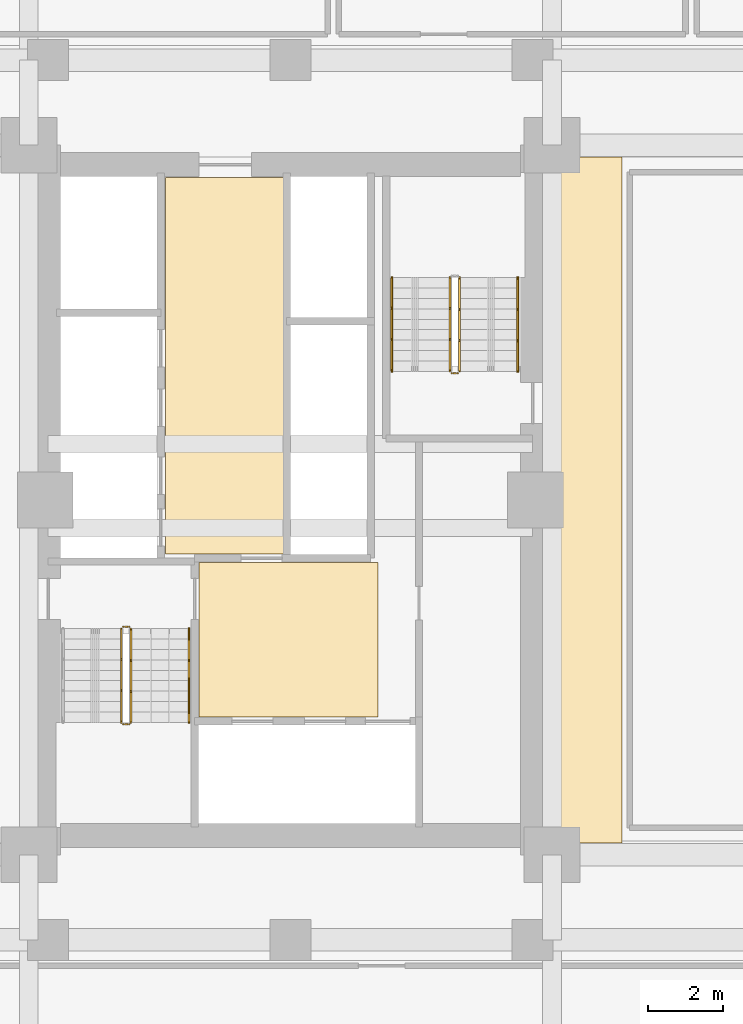
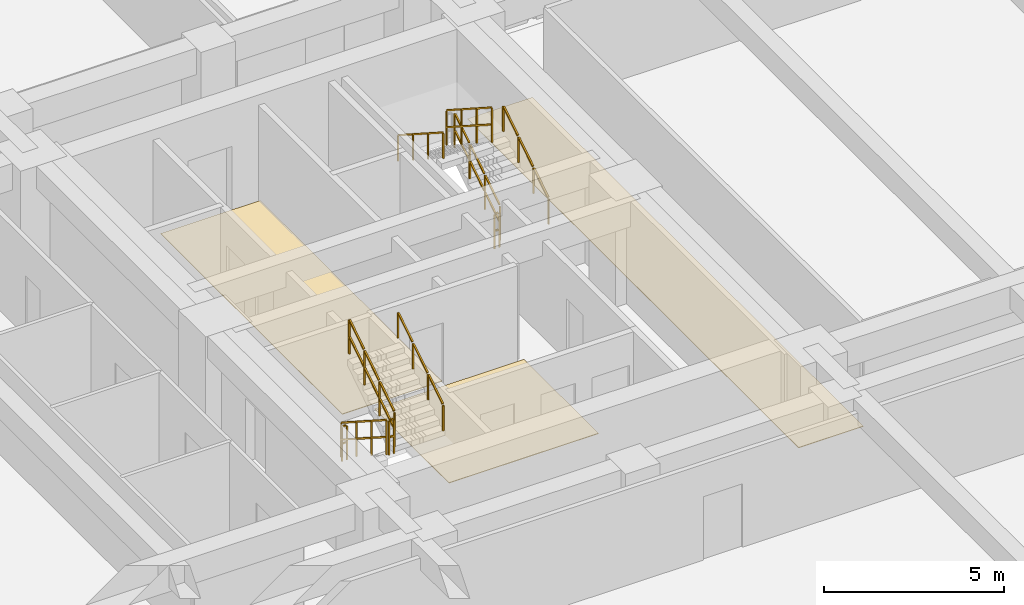
# One storey, part 26 of 30: 10 railings, 3 coverings.
"""IFC4 building model written with IfcOpenShell, lengths in metres."""

import ifcopenshell
import ifcopenshell.guid

model = None  # the IFC model being written
_history = None  # IfcOwnerHistory: only IFC2X3 demands one
_inside = {}  # id of a spatial element -> (the spatial element, [elements in it])
_under = {}  # id of a project, library or spatial element -> (it, [spatial elements below it])
_declared = {}  # id of a project -> (the project, [libraries it declares])
_typed = {}  # id of a type object -> (the type object, [elements of that type])
_made_of = {}  # id of a material, layer set ... -> (it, [elements and type objects made of it])


def new_model(schema):
    """Start an empty IFC model of exactly this schema.

    Asked for "IFC4X3", IfcOpenShell would pick the latest addendum, in which some entities
    have other attributes; the version numbers below select the first issue.
    IFC2X3 requires an IfcOwnerHistory on every rooted entity: one is made here for all.
    """
    global model, _history
    if schema == "IFC4X3":
        model = ifcopenshell.file(schema_version=(4, 3, 0, 0))
    else:
        model = ifcopenshell.file(schema=schema)
    _inside.clear()
    _under.clear()
    _declared.clear()
    _typed.clear()
    _made_of.clear()
    _history = None
    if model.schema == "IFC2X3":
        org = make("IfcOrganization", Name="unknown")
        user = make(
            "IfcPersonAndOrganization",
            ThePerson=make("IfcPerson", FamilyName="unknown"),
            TheOrganization=org,
        )
        app = make(
            "IfcApplication",
            ApplicationDeveloper=org,
            Version="unknown",
            ApplicationFullName="unknown",
            ApplicationIdentifier="unknown",
        )
        _history = make(
            "IfcOwnerHistory",
            OwningUser=user,
            OwningApplication=app,
            ChangeAction="ADDED",
            CreationDate=0,
        )
    return model


def make(cls, **values):
    """One entity of the class cls with the attributes given. An attribute that is None is left unset."""
    return model.create_entity(
        cls, **{name: value for name, value in values.items() if value is not None}
    )


def rooted(cls, **values):
    """An entity with a GlobalId (a new one), such as an element, a storey or a relation."""
    return make(cls, GlobalId=ifcopenshell.guid.new(), OwnerHistory=_history, **values)


def si_unit(unit_type, name, prefix=None):
    """IfcSIUnit, for example si_unit("LENGTHUNIT", "METRE", prefix="MILLI")."""
    return make("IfcSIUnit", UnitType=unit_type, Prefix=prefix, Name=name)


def assignment(units):
    """IfcUnitAssignment: the units of a project."""
    return None if units is None else make("IfcUnitAssignment", Units=units)


def point(xyz):
    """IfcCartesianPoint."""
    return None if xyz is None else make("IfcCartesianPoint", Coordinates=xyz)


def direction(xyz):
    """IfcDirection."""
    return None if xyz is None else make("IfcDirection", DirectionRatios=xyz)


def frame(location, z_axis=None, x_axis=None):
    """IfcAxis2Placement3D, a coordinate frame: its origin and axes. An axis left out is left unset."""
    return make(
        "IfcAxis2Placement3D",
        Location=point(location),
        Axis=direction(z_axis),
        RefDirection=direction(x_axis),
    )


def frame_2d(location, x_axis=None):
    """IfcAxis2Placement2D, a coordinate frame in the plane: its origin and x axis."""
    return make(
        "IfcAxis2Placement2D", Location=point(location), RefDirection=direction(x_axis)
    )


def origin():
    """The frame at (0, 0, 0) with its axes left unset."""
    return frame((0.0, 0.0, 0.0))


def origin_2d():
    """The frame at (0, 0) in the plane with its x axis left unset."""
    return frame_2d((0.0, 0.0))


def place(relative_to, where):
    """IfcLocalPlacement: puts the frame where relative to a parent placement (None: the world)."""
    return make(
        "IfcLocalPlacement", PlacementRelTo=relative_to, RelativePlacement=where
    )


def context(
    kind, dimensions, precision=None, world=None, true_north=None, identifier=None
):
    """IfcGeometricRepresentationContext, for example the 3D "Model" context."""
    return make(
        "IfcGeometricRepresentationContext",
        ContextIdentifier=identifier,
        ContextType=kind,
        CoordinateSpaceDimension=dimensions,
        Precision=precision,
        WorldCoordinateSystem=world,
        TrueNorth=true_north,
    )


def subcontext(parent, identifier, kind, view, scale=None):
    """IfcGeometricRepresentationSubContext, for example "Body" below "Model"."""
    return make(
        "IfcGeometricRepresentationSubContext",
        ContextIdentifier=identifier,
        ContextType=kind,
        ParentContext=parent,
        TargetScale=scale,
        TargetView=view,
    )


def project(units=None, contexts=None):
    """IfcProject with its units and contexts."""
    return rooted(
        "IfcProject",
        Name="project",
        RepresentationContexts=contexts,
        UnitsInContext=assignment(units),
    )


def spatial(cls, under=None, at=None, **own):
    """A site, building, storey or space (cls), placed at a placement, below another one or the project."""
    s = rooted(cls, ObjectPlacement=at, **own)
    if under is not None:
        _under.setdefault(under.id(), (under, []))[1].append(s)
    return s


def polyline(points):
    """IfcPolyline through the points."""
    return make("IfcPolyline", Points=[point(p) for p in points])


def profile(cls, at=None, kind="AREA", **sizes):
    """A parametric profile (cls). Its sizes go by their IFC names, for example OverallWidth=200.0."""
    return make(cls, ProfileType=kind, Position=at, **sizes)


def rectangle(**sizes):
    """IfcRectangleProfileDef."""
    return profile("IfcRectangleProfileDef", **sizes)


def outline(outer, holes=None, kind="AREA"):
    """IfcArbitraryClosedProfileDef: a profile drawn as a closed curve; with holes, ...WithVoids."""
    if holes is None:
        return make("IfcArbitraryClosedProfileDef", ProfileType=kind, OuterCurve=outer)
    return make(
        "IfcArbitraryProfileDefWithVoids",
        ProfileType=kind,
        OuterCurve=outer,
        InnerCurves=holes,
    )


def extrude(swept, where, along, depth):
    """IfcExtrudedAreaSolid: the profile swept, set in the frame where, extruded along a direction by depth."""
    return make(
        "IfcExtrudedAreaSolid",
        SweptArea=swept,
        Position=where,
        ExtrudedDirection=direction(along),
        Depth=depth,
    )


def shape(context_of_items, identifier, shape_type, items):
    """IfcShapeRepresentation: the items that make up one representation, for example the "Body"."""
    return make(
        "IfcShapeRepresentation",
        ContextOfItems=context_of_items,
        RepresentationIdentifier=identifier,
        RepresentationType=shape_type,
        Items=items,
    )


def material(Name=None, Category=None):
    """IfcMaterial."""
    return make("IfcMaterial", Name=Name, Category=Category)


def layer(
    of_material, thickness, ventilated=None, Name=None, Category=None, Priority=None
):
    """IfcMaterialLayer: one layer of a wall or slab, of a material (None: an air gap)."""
    return make(
        "IfcMaterialLayer",
        Material=of_material,
        LayerThickness=thickness,
        IsVentilated=ventilated,
        Name=Name,
        Category=Category,
        Priority=Priority,
    )


def layer_set(layers, Name=None):
    """IfcMaterialLayerSet."""
    return make("IfcMaterialLayerSet", MaterialLayers=layers, LayerSetName=Name)


def made_of(thing, what):
    """Note that an element or type object is made of a material, layer set ...; save() writes the relation."""
    if what is not None:
        _made_of.setdefault(what.id(), (what, []))[1].append(thing)
    return thing


def type_object(cls, material=None, **own):
    """A type object (cls), such as IfcWallType, which elements share."""
    return made_of(rooted(cls, **own), material)


def element(
    cls,
    number,
    at=None,
    inside=None,
    cuts=None,
    type_object=None,
    material=None,
    context=None,
    identifier="Body",
    shape_type=None,
    held_by="IfcProductDefinitionShape",
    body=None,
    shapes=None,
    **own,
):
    """One element of the class cls, such as IfcWall. Its Tag is "e" and its number.

    at: its placement. inside: the storey or other place that contains it. cuts: it is an
    opening in that element (IfcRelVoidsElement). A single representation is given by context,
    identifier, shape_type and body (its items); several are given by shapes. held_by: the class
    of the entity that holds the representations. save() writes the other relations.
    """
    e = rooted(cls, Tag="e%d" % number, ObjectPlacement=at, **own)
    if body is not None:
        shapes = [shape(context, identifier, shape_type, body)]
    if shapes is not None:
        e.Representation = make(held_by, Representations=shapes)
    if inside is not None:
        _inside.setdefault(inside.id(), (inside, []))[1].append(e)
    if cuts is not None:
        rooted(
            "IfcRelVoidsElement", RelatingBuildingElement=cuts, RelatedOpeningElement=e
        )
    if type_object is not None:
        _typed.setdefault(type_object.id(), (type_object, []))[1].append(e)
    return made_of(e, material)


def aggregate(whole, parts):
    """IfcRelAggregates: a whole, such as a stair, and the parts it consists of."""
    return rooted("IfcRelAggregates", RelatingObject=whole, RelatedObjects=parts)


def save(model, path):
    """Write the relations noted so far, then the file.

    IfcRelAggregates (storeys below a building ...), IfcRelContainedInSpatialStructure (elements
    in a storey), IfcRelDefinesByType, IfcRelAssociatesMaterial and IfcRelDeclares: one each for
    every whole, place, type object, material and project.
    """
    for whole, parts in _under.values():
        aggregate(whole, parts)
    for where, things in _inside.values():
        rooted(
            "IfcRelContainedInSpatialStructure",
            RelatedElements=things,
            RelatingStructure=where,
        )
    for kind, things in _typed.values():
        rooted("IfcRelDefinesByType", RelatedObjects=things, RelatingType=kind)
    for what, things in _made_of.values():
        rooted("IfcRelAssociatesMaterial", RelatedObjects=things, RelatingMaterial=what)
    for by, libraries in _declared.values():
        rooted("IfcRelDeclares", RelatingContext=by, RelatedDefinitions=libraries)
    model.write(path)


model = new_model("IFC4")

# Units and contexts
model_context = context("Model", 3, precision=1e-05, world=origin(), true_north=direction((0.0, 1.0)))
body_context = subcontext(model_context, "Body", "Model", "MODEL_VIEW")
ifc_project = project(units=[si_unit("LENGTHUNIT", "METRE"), si_unit("AREAUNIT", "SQUARE_METRE"), si_unit("VOLUMEUNIT", "CUBIC_METRE"), si_unit("PLANEANGLEUNIT", "RADIAN"), si_unit("MASSUNIT", "GRAM", prefix="KILO")], contexts=[model_context])

# Site, building, storey
site_placement = place(None, origin())
site = spatial("IfcSite", under=ifc_project, at=site_placement, CompositionType="ELEMENT")
building_placement = place(site_placement, origin())
building = spatial("IfcBuilding", under=site, at=building_placement, Name="Saelheon Loggia Tower", CompositionType="ELEMENT")
storey_placement = place(building_placement, frame((0.0, 0.0, 11.39990234375)))
storey = spatial("IfcBuildingStorey", under=building, at=storey_placement, Name="L03", CompositionType="ELEMENT", Elevation=11.39990234375)

# Coverings
ifc_material_1 = material(Name="Vitrified Porcelain Floor Tile", Category="ceramic")
ifc_layer = layer(ifc_material_1, 0.02001953125)
ifc_layer_set = layer_set([ifc_layer], Name="Vitrified Porcelain Floor Tile")
covering_type = type_object("IfcCoveringType", Name="Cov_Floor_Porcelain", PredefinedType="FLOORING", material=ifc_layer_set)
covering_1_placement = place(storey_placement, origin())
element("IfcCovering", 1, at=covering_1_placement, inside=storey, type_object=covering_type, Name="L03 Corridor Porcelain Flooring", PredefinedType="FLOORING", context=body_context, shape_type="SweptSolid", body=[
    extrude(outline(polyline([(35.550048828125, 21.179931640625), (40.35009765625, 21.179931640625), (40.35009765625, 25.320068359375), (35.550048828125, 25.320068359375), (35.550048828125, 21.179931640625)])), origin(), (0.0, 0.0, 1.0), 0.02001953125),
])
covering_2_placement = place(storey_placement, origin())
element("IfcCovering", 2, at=covering_2_placement, inside=storey, type_object=covering_type, Name="L03 Corridor Porcelain Flooring", PredefinedType="FLOORING", context=body_context, shape_type="SweptSolid", body=[
    extrude(outline(polyline([(34.64990234375, 25.550048828125), (37.85009765625, 25.550048828125), (37.85009765625, 35.64990234375), (34.64990234375, 35.64990234375), (34.64990234375, 25.550048828125)])), origin(), (0.0, 0.0, 1.0), 0.02001953125),
])
covering_3_placement = place(storey_placement, origin())
element("IfcCovering", 3, at=covering_3_placement, inside=storey, type_object=covering_type, Name="L03 Corridor Porcelain Flooring", PredefinedType="FLOORING", context=body_context, shape_type="SweptSolid", body=[
    extrude(outline(polyline([(44.820068359375, 17.800048828125), (46.89990234375, 17.800048828125), (46.89990234375, 36.199951171875), (44.820068359375, 36.199951171875), (44.820068359375, 17.800048828125)])), origin(), (0.0, 0.0, 1.0), 0.02001953125),
])

# Railings
ifc_material_2 = material(Name="Galvanised Steel S275 Stairwell Guardrail", Category="steel")
railing_type_1 = type_object("IfcRailingType", Name="Guard_StairWell_RL_STG", PredefinedType="GUARDRAIL", material=ifc_material_2)
railing_1_placement = place(storey_placement, frame((33.4599609375, 23.550048828125, 0.18017578125)))
element("IfcRailing", 4, at=railing_1_placement, inside=storey, type_object=railing_type_1, Name="L03 ST1 stair guard 1", PredefinedType="GUARDRAIL", context=body_context, shape_type="SweptSolid", body=[
    extrude(rectangle(XDim=0.048095703125, YDim=0.048095703125, at=origin_2d()), frame((0.0, -0.028076171875, 1.19384765625), z_axis=(0.0, -0.841199657755, 0.540724639528), x_axis=(1.0, 0.0, 0.0)), (0.0, 0.0, 1.0), 0.93212890625),
    extrude(rectangle(XDim=0.048095703125, YDim=0.048095703125, at=origin_2d()), frame((0.0, -0.028076171875, 0.617919921875), z_axis=(0.0, -0.841199657755, 0.540724639528), x_axis=(1.0, 0.0, 0.0)), (0.0, 0.0, 1.0), 0.93212890625),
    extrude(rectangle(XDim=0.048095703125, YDim=0.048095703125, at=origin_2d()), frame((0.0, -0.867919921875, 1.73388671875), z_axis=(0.0, -0.841199657755, 0.540724639528), x_axis=(1.0, 0.0, 0.0)), (0.0, 0.0, 1.0), 0.93212890625),
    extrude(rectangle(XDim=0.048095703125, YDim=0.048095703125, at=origin_2d()), frame((0.0, -0.867919921875, 1.157958984375), z_axis=(0.0, -0.841199657755, 0.540724639528), x_axis=(1.0, 0.0, 0.0)), (0.0, 0.0, 1.0), 0.93212890625),
    extrude(rectangle(XDim=0.048095703125, YDim=0.048095703125, at=origin_2d()), frame((0.0, -1.7080078125, 2.273681640625), z_axis=(0.0, -0.841199657755, 0.540724639528), x_axis=(1.0, 0.0, 0.0)), (0.0, 0.0, 1.0), 0.93212890625),
    extrude(rectangle(XDim=0.048095703125, YDim=0.048095703125, at=origin_2d()), frame((0.0, -1.7080078125, 1.69775390625), z_axis=(0.0, -0.841199657755, 0.540724639528), x_axis=(1.0, 0.0, 0.0)), (0.0, 0.0, 1.0), 0.93212890625),
    extrude(rectangle(XDim=0.0419921875, YDim=0.0419921875, at=origin_2d()), origin(), (0.0, 0.0, 1.0), 1.14794921875),
    extrude(rectangle(XDim=0.0419921875, YDim=0.0419921875, at=origin_2d()), frame((0.0, -0.840087890625, 0.5400390625)), (0.0, 0.0, 1.0), 1.14794921875),
    extrude(rectangle(XDim=0.0419921875, YDim=0.0419921875, at=origin_2d()), frame((0.0, -1.679931640625, 1.079833984375)), (0.0, 0.0, 1.0), 1.14794921875),
    extrude(rectangle(XDim=0.0419921875, YDim=0.0419921875, at=origin_2d()), frame((0.0, -2.52001953125, 1.619873046875)), (0.0, 0.0, 1.0), 1.14794921875),
])
railing_2_placement = place(storey_placement, frame((33.510009765625, 20.97998046875, 1.800048828125)))
element("IfcRailing", 5, at=railing_2_placement, inside=storey, type_object=railing_type_1, Name="L03 ST1 stair guard 2", PredefinedType="GUARDRAIL", context=body_context, shape_type="SweptSolid", body=[
    extrude(rectangle(XDim=0.048095703125, YDim=0.048095703125, at=origin_2d()), frame((0.033203125, 0.0, 1.17578125), z_axis=(1.0, 0.0, 0.0), x_axis=(0.0, 1.0, 0.0)), (0.0, 0.0, 1.0), 0.093505859375),
    extrude(rectangle(XDim=0.048095703125, YDim=0.048095703125, at=origin_2d()), frame((0.033203125, 0.0, 0.60009765625), z_axis=(1.0, 0.0, 0.0), x_axis=(0.0, 1.0, 0.0)), (0.0, 0.0, 1.0), 0.093505859375),
    extrude(rectangle(XDim=0.0419921875, YDim=0.0419921875, at=origin_2d()), origin(), (0.0, 0.0, 1.0), 1.14794921875),
    extrude(rectangle(XDim=0.0419921875, YDim=0.0419921875, at=origin_2d()), frame((0.159912109375, 0.0, 0.0)), (0.0, 0.0, 1.0), 1.14794921875),
])
railing_3_placement = place(storey_placement, frame((33.719970703125, 21.030029296875, 1.97998046875)))
element("IfcRailing", 6, at=railing_3_placement, inside=storey, type_object=railing_type_1, Name="L03 ST1 stair guard 3", PredefinedType="GUARDRAIL", context=body_context, shape_type="SweptSolid", body=[
    extrude(rectangle(XDim=0.048095703125, YDim=0.048095703125, at=origin_2d()), frame((0.0, 0.028076171875, 1.19384765625), z_axis=(0.0, 0.841162588446, 0.540782303519), x_axis=(-1.0, 0.0, 0.0)), (0.0, 0.0, 1.0), 0.93212890625),
    extrude(rectangle(XDim=0.048095703125, YDim=0.048095703125, at=origin_2d()), frame((0.0, 0.028076171875, 0.617919921875), z_axis=(0.0, 0.841162588446, 0.540782303519), x_axis=(-1.0, 0.0, 0.0)), (0.0, 0.0, 1.0), 0.93212890625),
    extrude(rectangle(XDim=0.048095703125, YDim=0.048095703125, at=origin_2d()), frame((0.0, 0.867919921875, 1.73388671875), z_axis=(0.0, 0.841162588446, 0.540782303519), x_axis=(-1.0, 0.0, 0.0)), (0.0, 0.0, 1.0), 0.93212890625),
    extrude(rectangle(XDim=0.048095703125, YDim=0.048095703125, at=origin_2d()), frame((0.0, 0.867919921875, 1.157958984375), z_axis=(0.0, 0.841162588446, 0.540782303519), x_axis=(-1.0, 0.0, 0.0)), (0.0, 0.0, 1.0), 0.93212890625),
    extrude(rectangle(XDim=0.048095703125, YDim=0.048095703125, at=origin_2d()), frame((0.0, 1.7080078125, 2.27392578125), z_axis=(0.0, 0.841162588446, 0.540782303519), x_axis=(-1.0, 0.0, 0.0)), (0.0, 0.0, 1.0), 0.93212890625),
    extrude(rectangle(XDim=0.048095703125, YDim=0.048095703125, at=origin_2d()), frame((0.0, 1.7080078125, 1.697998046875), z_axis=(0.0, 0.841162588446, 0.540782303519), x_axis=(-1.0, 0.0, 0.0)), (0.0, 0.0, 1.0), 0.93212890625),
    extrude(rectangle(XDim=0.0419921875, YDim=0.0419921875, at=origin_2d()), origin(), (0.0, 0.0, 1.0), 1.14794921875),
    extrude(rectangle(XDim=0.0419921875, YDim=0.0419921875, at=origin_2d()), frame((0.0, 0.840087890625, 0.5400390625)), (0.0, 0.0, 1.0), 1.14794921875),
    extrude(rectangle(XDim=0.0419921875, YDim=0.0419921875, at=origin_2d()), frame((0.0, 1.679931640625, 1.080078125)), (0.0, 0.0, 1.0), 1.14794921875),
    extrude(rectangle(XDim=0.0419921875, YDim=0.0419921875, at=origin_2d()), frame((0.0, 2.52001953125, 1.6201171875)), (0.0, 0.0, 1.0), 1.14794921875),
])
railing_4_placement = place(storey_placement, frame((33.510009765625, 23.60009765625, 0.0)))
element("IfcRailing", 7, at=railing_4_placement, inside=storey, type_object=railing_type_1, Name="L03 ST1 stair guard 4", PredefinedType="GUARDRAIL", context=body_context, shape_type="SweptSolid", body=[
    extrude(rectangle(XDim=0.048095703125, YDim=0.048095703125, at=origin_2d()), frame((0.033203125, 0.0, 1.17578125), z_axis=(1.0, 0.0, 0.0), x_axis=(0.0, 1.0, 0.0)), (0.0, 0.0, 1.0), 0.093505859375),
    extrude(rectangle(XDim=0.048095703125, YDim=0.048095703125, at=origin_2d()), frame((0.033203125, 0.0, 0.60009765625), z_axis=(1.0, 0.0, 0.0), x_axis=(0.0, 1.0, 0.0)), (0.0, 0.0, 1.0), 0.093505859375),
    extrude(rectangle(XDim=0.0419921875, YDim=0.0419921875, at=origin_2d()), origin(), (0.0, 0.0, 1.0), 1.14794921875),
    extrude(rectangle(XDim=0.0419921875, YDim=0.0419921875, at=origin_2d()), frame((0.159912109375, 0.0, 0.0)), (0.0, 0.0, 1.0), 1.14794921875),
])
railing_5_placement = place(storey_placement, frame((42.5400390625, 30.449951171875, 0.18017578125)))
element("IfcRailing", 8, at=railing_5_placement, inside=storey, type_object=railing_type_1, Name="L03 ST2 stair guard 1", PredefinedType="GUARDRAIL", context=body_context, shape_type="SweptSolid", body=[
    extrude(rectangle(XDim=0.048095703125, YDim=0.048095703125, at=origin_2d()), frame((0.0, 0.028076171875, 1.19384765625), z_axis=(0.0, 0.841199657755, 0.540724639528), x_axis=(-1.0, 0.0, 0.0)), (0.0, 0.0, 1.0), 0.93212890625),
    extrude(rectangle(XDim=0.048095703125, YDim=0.048095703125, at=origin_2d()), frame((0.0, 0.028076171875, 0.617919921875), z_axis=(0.0, 0.841199657755, 0.540724639528), x_axis=(-1.0, 0.0, 0.0)), (0.0, 0.0, 1.0), 0.93212890625),
    extrude(rectangle(XDim=0.048095703125, YDim=0.048095703125, at=origin_2d()), frame((0.0, 0.867919921875, 1.73388671875), z_axis=(0.0, 0.841199657755, 0.540724639528), x_axis=(-1.0, 0.0, 0.0)), (0.0, 0.0, 1.0), 0.93212890625),
    extrude(rectangle(XDim=0.048095703125, YDim=0.048095703125, at=origin_2d()), frame((0.0, 0.867919921875, 1.157958984375), z_axis=(0.0, 0.841199657755, 0.540724639528), x_axis=(-1.0, 0.0, 0.0)), (0.0, 0.0, 1.0), 0.93212890625),
    extrude(rectangle(XDim=0.048095703125, YDim=0.048095703125, at=origin_2d()), frame((0.0, 1.7080078125, 2.273681640625), z_axis=(0.0, 0.841199657755, 0.540724639528), x_axis=(-1.0, 0.0, 0.0)), (0.0, 0.0, 1.0), 0.93212890625),
    extrude(rectangle(XDim=0.048095703125, YDim=0.048095703125, at=origin_2d()), frame((0.0, 1.7080078125, 1.69775390625), z_axis=(0.0, 0.841199657755, 0.540724639528), x_axis=(-1.0, 0.0, 0.0)), (0.0, 0.0, 1.0), 0.93212890625),
    extrude(rectangle(XDim=0.0419921875, YDim=0.0419921875, at=origin_2d()), origin(), (0.0, 0.0, 1.0), 1.14794921875),
    extrude(rectangle(XDim=0.0419921875, YDim=0.0419921875, at=origin_2d()), frame((0.0, 0.840087890625, 0.5400390625)), (0.0, 0.0, 1.0), 1.14794921875),
    extrude(rectangle(XDim=0.0419921875, YDim=0.0419921875, at=origin_2d()), frame((0.0, 1.679931640625, 1.079833984375)), (0.0, 0.0, 1.0), 1.14794921875),
    extrude(rectangle(XDim=0.0419921875, YDim=0.0419921875, at=origin_2d()), frame((0.0, 2.52001953125, 1.619873046875)), (0.0, 0.0, 1.0), 1.14794921875),
])
railing_6_placement = place(storey_placement, frame((42.280029296875, 32.969970703125, 1.97998046875)))
element("IfcRailing", 9, at=railing_6_placement, inside=storey, type_object=railing_type_1, Name="L03 ST2 stair guard 3", PredefinedType="GUARDRAIL", context=body_context, shape_type="SweptSolid", body=[
    extrude(rectangle(XDim=0.048095703125, YDim=0.048095703125, at=origin_2d()), frame((0.0, -0.028076171875, 1.19384765625), z_axis=(0.0, -0.841162588446, 0.540782303519), x_axis=(1.0, 0.0, 0.0)), (0.0, 0.0, 1.0), 0.93212890625),
    extrude(rectangle(XDim=0.048095703125, YDim=0.048095703125, at=origin_2d()), frame((0.0, -0.028076171875, 0.617919921875), z_axis=(0.0, -0.841162588446, 0.540782303519), x_axis=(1.0, 0.0, 0.0)), (0.0, 0.0, 1.0), 0.93212890625),
    extrude(rectangle(XDim=0.048095703125, YDim=0.048095703125, at=origin_2d()), frame((0.0, -0.867919921875, 1.73388671875), z_axis=(0.0, -0.841162588446, 0.540782303519), x_axis=(1.0, 0.0, 0.0)), (0.0, 0.0, 1.0), 0.93212890625),
    extrude(rectangle(XDim=0.048095703125, YDim=0.048095703125, at=origin_2d()), frame((0.0, -0.867919921875, 1.157958984375), z_axis=(0.0, -0.841162588446, 0.540782303519), x_axis=(1.0, 0.0, 0.0)), (0.0, 0.0, 1.0), 0.93212890625),
    extrude(rectangle(XDim=0.048095703125, YDim=0.048095703125, at=origin_2d()), frame((0.0, -1.7080078125, 2.27392578125), z_axis=(0.0, -0.841162588446, 0.540782303519), x_axis=(1.0, 0.0, 0.0)), (0.0, 0.0, 1.0), 0.93212890625),
    extrude(rectangle(XDim=0.048095703125, YDim=0.048095703125, at=origin_2d()), frame((0.0, -1.7080078125, 1.697998046875), z_axis=(0.0, -0.841162588446, 0.540782303519), x_axis=(1.0, 0.0, 0.0)), (0.0, 0.0, 1.0), 0.93212890625),
    extrude(rectangle(XDim=0.0419921875, YDim=0.0419921875, at=origin_2d()), origin(), (0.0, 0.0, 1.0), 1.14794921875),
    extrude(rectangle(XDim=0.0419921875, YDim=0.0419921875, at=origin_2d()), frame((0.0, -0.840087890625, 0.5400390625)), (0.0, 0.0, 1.0), 1.14794921875),
    extrude(rectangle(XDim=0.0419921875, YDim=0.0419921875, at=origin_2d()), frame((0.0, -1.679931640625, 1.080078125)), (0.0, 0.0, 1.0), 1.14794921875),
    extrude(rectangle(XDim=0.0419921875, YDim=0.0419921875, at=origin_2d()), frame((0.0, -2.52001953125, 1.6201171875)), (0.0, 0.0, 1.0), 1.14794921875),
])
railing_7_placement = place(storey_placement, frame((42.489990234375, 30.39990234375, 0.0)))
element("IfcRailing", 10, at=railing_7_placement, inside=storey, type_object=railing_type_1, Name="L03 ST2 stair guard 4", PredefinedType="GUARDRAIL", context=body_context, shape_type="SweptSolid", body=[
    extrude(rectangle(XDim=0.048095703125, YDim=0.048095703125, at=origin_2d()), frame((-0.033203125, 0.0, 1.17578125), z_axis=(-1.0, 0.0, 0.0), x_axis=(0.0, -1.0, 0.0)), (0.0, 0.0, 1.0), 0.093505859375),
    extrude(rectangle(XDim=0.048095703125, YDim=0.048095703125, at=origin_2d()), frame((-0.033203125, 0.0, 0.60009765625), z_axis=(-1.0, 0.0, 0.0), x_axis=(0.0, -1.0, 0.0)), (0.0, 0.0, 1.0), 0.093505859375),
    extrude(rectangle(XDim=0.0419921875, YDim=0.0419921875, at=origin_2d()), origin(), (0.0, 0.0, 1.0), 1.14794921875),
    extrude(rectangle(XDim=0.0419921875, YDim=0.0419921875, at=origin_2d()), frame((-0.159912109375, 0.0, 0.0)), (0.0, 0.0, 1.0), 1.14794921875),
])
ifc_material_3 = material(Name="Stainless Steel 304 Tubular Handrail", Category="steel")
railing_type_2 = type_object("IfcRailingType", Name="Handrail_Stair_RL_HR1", PredefinedType="HANDRAIL", material=ifc_material_3)
railing_8_placement = place(storey_placement, frame((35.280029296875, 21.030029296875, 1.97998046875)))
element("IfcRailing", 11, at=railing_8_placement, inside=storey, type_object=railing_type_2, Name="L03 ST1 stair handrail 2", PredefinedType="HANDRAIL", context=body_context, shape_type="SweptSolid", body=[
    extrude(rectangle(XDim=0.048095703125, YDim=0.048095703125, at=origin_2d()), frame((0.0, 0.028076171875, 0.893798828125), z_axis=(0.0, 0.841162588446, 0.540782303519), x_axis=(-1.0, 0.0, 0.0)), (0.0, 0.0, 1.0), 0.93212890625),
    extrude(rectangle(XDim=0.048095703125, YDim=0.048095703125, at=origin_2d()), frame((0.0, 0.867919921875, 1.433837890625), z_axis=(0.0, 0.841162588446, 0.540782303519), x_axis=(-1.0, 0.0, 0.0)), (0.0, 0.0, 1.0), 0.93212890625),
    extrude(rectangle(XDim=0.048095703125, YDim=0.048095703125, at=origin_2d()), frame((0.0, 1.7080078125, 1.973876953125), z_axis=(0.0, 0.841162588446, 0.540782303519), x_axis=(-1.0, 0.0, 0.0)), (0.0, 0.0, 1.0), 0.93212890625),
    extrude(rectangle(XDim=0.0419921875, YDim=0.0419921875, at=origin_2d()), origin(), (0.0, 0.0, 1.0), 0.847900390625),
    extrude(rectangle(XDim=0.0419921875, YDim=0.0419921875, at=origin_2d()), frame((0.0, 0.840087890625, 0.5400390625)), (0.0, 0.0, 1.0), 0.847900390625),
    extrude(rectangle(XDim=0.0419921875, YDim=0.0419921875, at=origin_2d()), frame((0.0, 1.679931640625, 1.080078125)), (0.0, 0.0, 1.0), 0.847900390625),
    extrude(rectangle(XDim=0.0419921875, YDim=0.0419921875, at=origin_2d()), frame((0.0, 2.52001953125, 1.6201171875)), (0.0, 0.0, 1.0), 0.847900390625),
])
railing_9_placement = place(storey_placement, frame((44.10009765625, 30.449951171875, 0.18017578125)))
element("IfcRailing", 12, at=railing_9_placement, inside=storey, type_object=railing_type_2, Name="L03 ST2 stair handrail 1", PredefinedType="HANDRAIL", context=body_context, shape_type="SweptSolid", body=[
    extrude(rectangle(XDim=0.048095703125, YDim=0.048095703125, at=origin_2d()), frame((0.0, 0.028076171875, 0.893798828125), z_axis=(0.0, 0.841199657755, 0.540724639528), x_axis=(-1.0, 0.0, 0.0)), (0.0, 0.0, 1.0), 0.93212890625),
    extrude(rectangle(XDim=0.048095703125, YDim=0.048095703125, at=origin_2d()), frame((0.0, 0.867919921875, 1.433837890625), z_axis=(0.0, 0.841199657755, 0.540724639528), x_axis=(-1.0, 0.0, 0.0)), (0.0, 0.0, 1.0), 0.93212890625),
    extrude(rectangle(XDim=0.048095703125, YDim=0.048095703125, at=origin_2d()), frame((0.0, 1.7080078125, 1.9736328125), z_axis=(0.0, 0.841199657755, 0.540724639528), x_axis=(-1.0, 0.0, 0.0)), (0.0, 0.0, 1.0), 0.93212890625),
    extrude(rectangle(XDim=0.0419921875, YDim=0.0419921875, at=origin_2d()), origin(), (0.0, 0.0, 1.0), 0.847900390625),
    extrude(rectangle(XDim=0.0419921875, YDim=0.0419921875, at=origin_2d()), frame((0.0, 0.840087890625, 0.5400390625)), (0.0, 0.0, 1.0), 0.847900390625),
    extrude(rectangle(XDim=0.0419921875, YDim=0.0419921875, at=origin_2d()), frame((0.0, 1.679931640625, 1.079833984375)), (0.0, 0.0, 1.0), 0.847900390625),
    extrude(rectangle(XDim=0.0419921875, YDim=0.0419921875, at=origin_2d()), frame((0.0, 2.52001953125, 1.619873046875)), (0.0, 0.0, 1.0), 0.847900390625),
])
railing_10_placement = place(storey_placement, frame((40.719970703125, 32.969970703125, 1.97998046875)))
element("IfcRailing", 13, at=railing_10_placement, inside=storey, type_object=railing_type_2, Name="L03 ST2 stair handrail 2", PredefinedType="HANDRAIL", context=body_context, shape_type="SweptSolid", body=[
    extrude(rectangle(XDim=0.048095703125, YDim=0.048095703125, at=origin_2d()), frame((0.0, -0.028076171875, 0.893798828125), z_axis=(0.0, -0.841162588446, 0.540782303519), x_axis=(1.0, 0.0, 0.0)), (0.0, 0.0, 1.0), 0.93212890625),
    extrude(rectangle(XDim=0.048095703125, YDim=0.048095703125, at=origin_2d()), frame((0.0, -0.867919921875, 1.433837890625), z_axis=(0.0, -0.841162588446, 0.540782303519), x_axis=(1.0, 0.0, 0.0)), (0.0, 0.0, 1.0), 0.93212890625),
    extrude(rectangle(XDim=0.048095703125, YDim=0.048095703125, at=origin_2d()), frame((0.0, -1.7080078125, 1.973876953125), z_axis=(0.0, -0.841162588446, 0.540782303519), x_axis=(1.0, 0.0, 0.0)), (0.0, 0.0, 1.0), 0.93212890625),
    extrude(rectangle(XDim=0.0419921875, YDim=0.0419921875, at=origin_2d()), origin(), (0.0, 0.0, 1.0), 0.847900390625),
    extrude(rectangle(XDim=0.0419921875, YDim=0.0419921875, at=origin_2d()), frame((0.0, -0.840087890625, 0.5400390625)), (0.0, 0.0, 1.0), 0.847900390625),
    extrude(rectangle(XDim=0.0419921875, YDim=0.0419921875, at=origin_2d()), frame((0.0, -1.679931640625, 1.080078125)), (0.0, 0.0, 1.0), 0.847900390625),
    extrude(rectangle(XDim=0.0419921875, YDim=0.0419921875, at=origin_2d()), frame((0.0, -2.52001953125, 1.6201171875)), (0.0, 0.0, 1.0), 0.847900390625),
])

save(model, "model.ifc")
